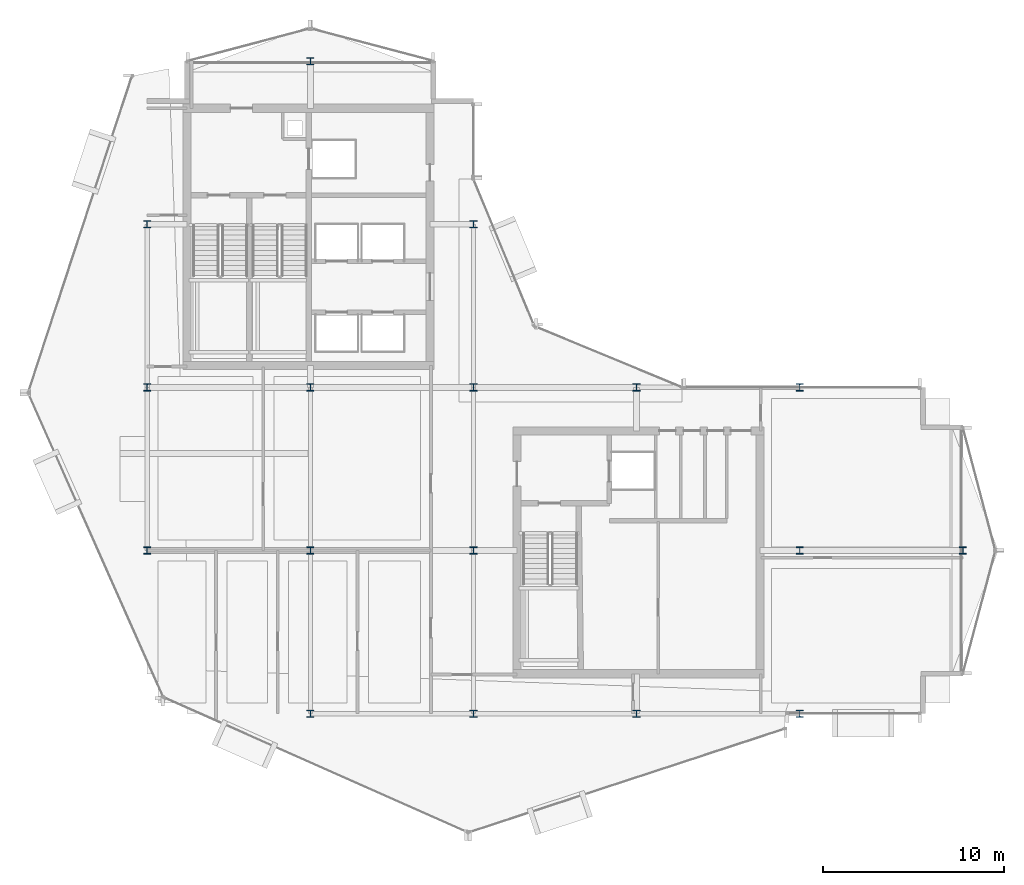
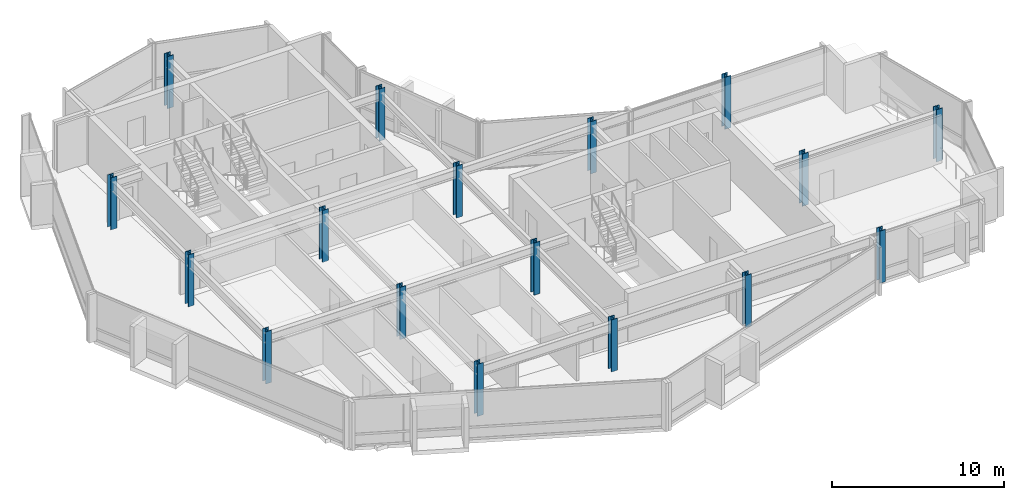
# One storey, part 1 of 27: 17 columns.
"""IFC4 building model written with IfcOpenShell, lengths in metres."""

from ifc_helpers import new_model, si_unit, direction, frame, origin, origin_2d, place, context, subcontext, project, spatial, i_section, extrude, material, material_profile, profile_set, type_object, element, save


model = new_model("IFC4")

# Units and contexts
model_context = context("Model", 3, precision=1e-05, world=origin(), true_north=direction((0.0, 1.0)))
body_context = subcontext(model_context, "Body", "Model", "MODEL_VIEW")
ifc_project = project(units=[si_unit("LENGTHUNIT", "METRE"), si_unit("AREAUNIT", "SQUARE_METRE"), si_unit("VOLUMEUNIT", "CUBIC_METRE"), si_unit("PLANEANGLEUNIT", "RADIAN"), si_unit("MASSUNIT", "GRAM", prefix="KILO")], contexts=[model_context])

# Site, building, storey
site_placement = place(None, origin())
site = spatial("IfcSite", under=ifc_project, at=site_placement, CompositionType="ELEMENT")
building_placement = place(site_placement, origin())
building = spatial("IfcBuilding", under=site, at=building_placement, Name="Solvaryn Broadcast Tower", CompositionType="ELEMENT")
storey_placement = place(building_placement, frame((0.0, 0.0, 224.699951171875)))
storey = spatial("IfcBuildingStorey", under=building, at=storey_placement, Name="L56", CompositionType="ELEMENT", Elevation=224.699951171875)

# Columns
ifc_material_1 = material(Name="Steel ASTM A913 Grade 65", Category="steel")
ifc_material_profile_1 = material_profile(ifc_material_1, i_section(OverallWidth=0.40087890625, OverallDepth=0.39892578125, WebThickness=0.02490234375, FlangeThickness=0.03955078125, FilletRadius=0.014892578125, at=origin_2d()))
ifc_profile_set_1 = profile_set([ifc_material_profile_1], Name="Steel ASTM A913 Grade 65")
column_type_1 = type_object("IfcColumnType", Name="COL-C08E-W14X211", PredefinedType="COLUMN", material=ifc_profile_set_1)
for number, where, z_axis, x_axis, name in (
    (1, (9.0, 18.0, 0.0), (0.0, 0.0, 1.0), (1.0, 0.0, 0.0), "L56 Column (9.0, 18.0)"),
    (2, (9.0, 27.0, 0.0), (0.0, 0.0, 1.0), (1.0, 0.0, 0.0), "L56 Column (9.0, 27.0)"),
    (3, (9.0, 36.0, 0.0), (0.0, 0.0, 1.0), (1.0, 0.0, 0.0), "L56 Column (9.0, 36.0)"),
    (4, (18.0, 9.0, 0.0), (0.0, 0.0, 1.0), (1.0, 0.0, 0.0), "L56 Column (18.0, 9.0)"),
    (5, (18.0, 45.0, 0.0), (0.0, 0.0, 1.0), (1.0, 0.0, 0.0), "L56 Column (18.0, 45.0)"),
    (6, (27.0, 9.0, 0.0), (0.0, 0.0, 1.0), (1.0, 0.0, 0.0), "L56 Column (27.0, 9.0)"),
    (7, (27.0, 36.0, 0.0), (0.0, 0.0, 1.0), (1.0, 0.0, 0.0), "L56 Column (27.0, 36.0)"),
    (8, (36.0, 9.0, 0.0), (0.0, 0.0, 1.0), (1.0, 0.0, 0.0), "L56 Column (36.0, 9.0)"),
    (9, (36.0, 27.0, 0.0), (0.0, 0.0, 1.0), (1.0, 0.0, 0.0), "L56 Column (36.0, 27.0)"),
    (10, (45.0, 9.0, 0.0), (0.0, 0.0, 1.0), (1.0, 0.0, 0.0), "L56 Column (45.0, 9.0)"),
    (11, (45.0, 27.0, 0.0), (0.0, 0.0, 1.0), (1.0, 0.0, 0.0), "L56 Column (45.0, 27.0)"),
    (12, (54.0, 18.0, 0.0), (0.0, 0.0, 1.0), (1.0, 0.0, 0.0), "L56 Column (54.0, 18.0)"),
):
    element("IfcColumn", number, at=place(storey_placement, frame(where, z_axis=z_axis, x_axis=x_axis)), inside=storey, type_object=column_type_1, Name=name, PredefinedType="COLUMN", context=body_context, shape_type="SweptSolid", body=[
        extrude(i_section(OverallWidth=0.40087890625, OverallDepth=0.39892578125, WebThickness=0.02490234375, FlangeThickness=0.03955078125, FilletRadius=0.014892578125, at=origin_2d()), origin(), (0.0, 0.0, 1.0), 3.699951171875),
    ])
ifc_material_2 = material(Name="Steel ASTM A913 Grade 65", Category="steel")
ifc_material_profile_2 = material_profile(ifc_material_2, i_section(OverallWidth=0.40087890625, OverallDepth=0.39892578125, WebThickness=0.02490234375, FlangeThickness=0.03955078125, FilletRadius=0.014892578125, at=origin_2d()))
ifc_profile_set_2 = profile_set([ifc_material_profile_2], Name="Steel ASTM A913 Grade 65")
column_type_2 = type_object("IfcColumnType", Name="COL-C08I-W14X211", PredefinedType="COLUMN", material=ifc_profile_set_2)
for number, where, z_axis, x_axis, name in (
    (13, (18.0, 18.0, 0.0), (0.0, 0.0, 1.0), (1.0, 0.0, 0.0), "L56 Column (18.0, 18.0)"),
    (14, (18.0, 27.0, 0.0), (0.0, 0.0, 1.0), (1.0, 0.0, 0.0), "L56 Column (18.0, 27.0)"),
    (15, (27.0, 18.0, 0.0), (0.0, 0.0, 1.0), (1.0, 0.0, 0.0), "L56 Column (27.0, 18.0)"),
    (16, (27.0, 27.0, 0.0), (0.0, 0.0, 1.0), (1.0, 0.0, 0.0), "L56 Column (27.0, 27.0)"),
    (17, (45.0, 18.0, 0.0), (0.0, 0.0, 1.0), (1.0, 0.0, 0.0), "L56 Column (45.0, 18.0)"),
):
    element("IfcColumn", number, at=place(storey_placement, frame(where, z_axis=z_axis, x_axis=x_axis)), inside=storey, type_object=column_type_2, Name=name, PredefinedType="COLUMN", context=body_context, shape_type="SweptSolid", body=[
        extrude(i_section(OverallWidth=0.40087890625, OverallDepth=0.39892578125, WebThickness=0.02490234375, FlangeThickness=0.03955078125, FilletRadius=0.014892578125, at=origin_2d()), origin(), (0.0, 0.0, 1.0), 3.699951171875),
    ])

save(model, "model.ifc")
